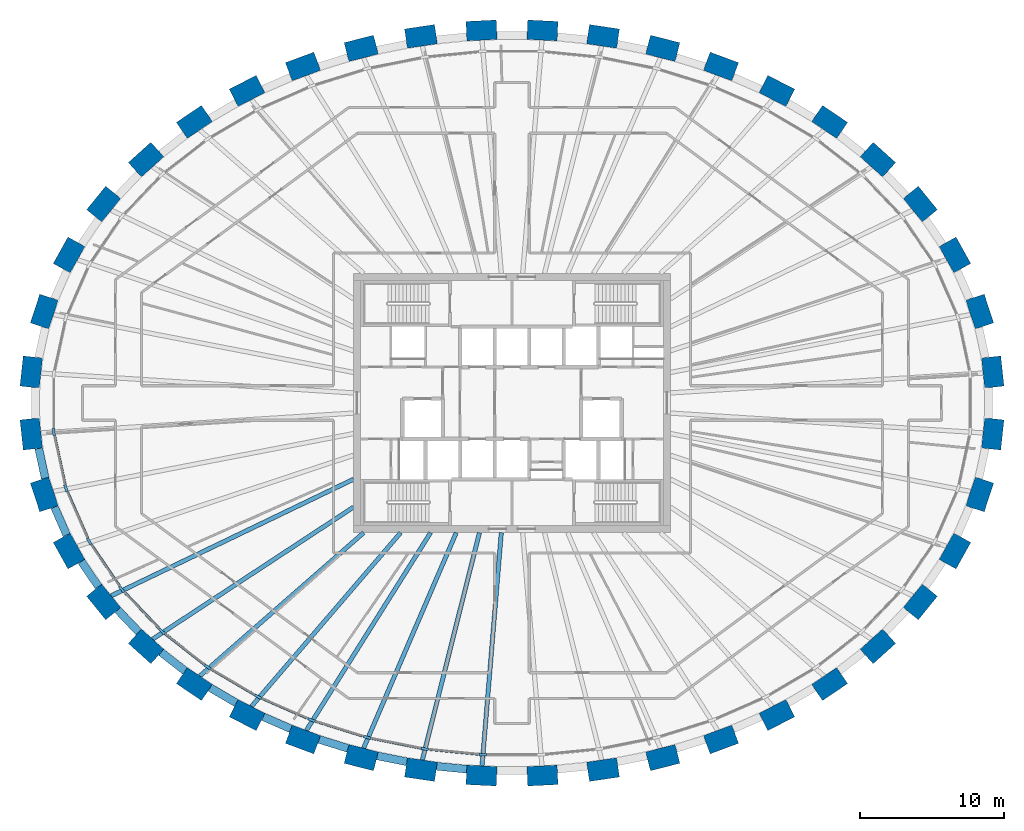
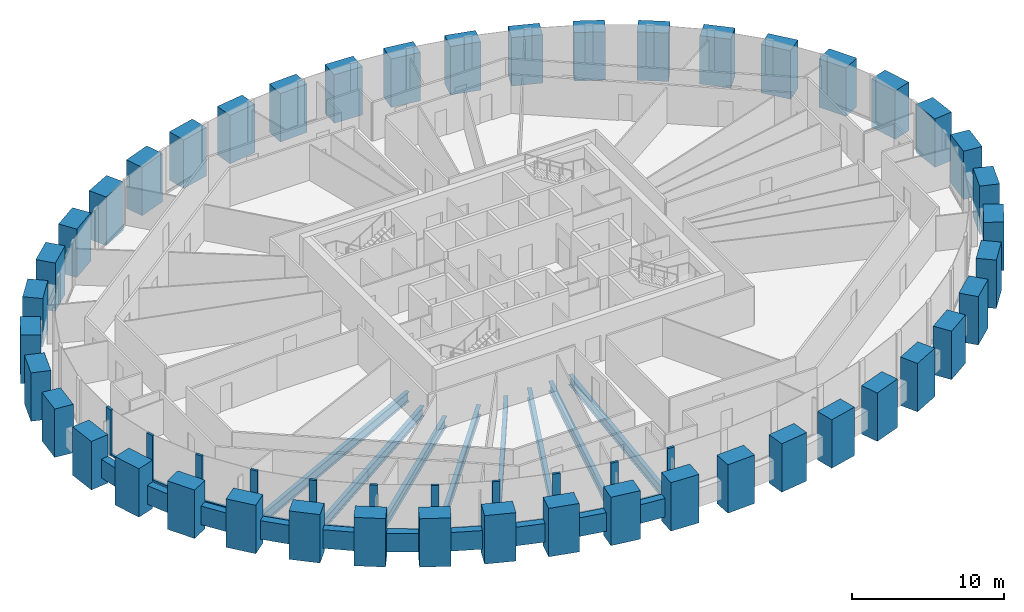
# One storey, part 1 of 12: 44 columns, 21 members, 18 beams, 1 element without a shape of its own.
"""IFC4 building model written with IfcOpenShell, lengths in metres."""

from ifc_helpers import new_model, si_unit, direction, frame, origin, origin_2d, place, context, subcontext, project, spatial, rectangle, i_section, extrude, source, transform, mapped, material, material_profile, profile_set, type_object, element, aggregate, save


model = new_model("IFC4")

# Units and contexts
model_context = context("Model", 3, precision=1e-05, world=origin(), true_north=direction((0.0, 1.0)))
body_context = subcontext(model_context, "Body", "Model", "MODEL_VIEW")
ifc_project = project(units=[si_unit("LENGTHUNIT", "METRE"), si_unit("AREAUNIT", "SQUARE_METRE"), si_unit("VOLUMEUNIT", "CUBIC_METRE"), si_unit("PLANEANGLEUNIT", "RADIAN"), si_unit("MASSUNIT", "GRAM", prefix="KILO")], contexts=[model_context])

# Site, building, storey
site_placement = place(None, origin())
site = spatial("IfcSite", under=ifc_project, at=site_placement, CompositionType="ELEMENT")
building_placement = place(site_placement, origin())
building = spatial("IfcBuilding", under=site, at=building_placement, Name="Embergate Tower", CompositionType="ELEMENT")
storey_placement = place(building_placement, frame((0.0, 0.0, 253.89990234375)))
storey = spatial("IfcBuildingStorey", under=building, at=storey_placement, Name="L58", CompositionType="ELEMENT", Elevation=253.89990234375)

# Columns
ifc_material_1 = material(Name="Concrete C60", Category="concrete")
ifc_material_profile_1 = material_profile(ifc_material_1, rectangle(XDim=1.35009765625, YDim=2.10009765625, at=origin_2d()), Name="RC 1350x2100")
ifc_profile_set_1 = profile_set([ifc_material_profile_1], Name="Concrete C60")
column_type = type_object("IfcColumnType", Name="Ring column RC 1350x2100 C60", PredefinedType="COLUMN", material=ifc_profile_set_1)
shared_shape_1 = source(origin(), body_context, "Body", "SweptSolid", [
    extrude(rectangle(XDim=1.35009765625, YDim=2.10009765625, at=origin_2d()), origin(), (0.0, 0.0, 1.0), 3.89990234375),
])
for number, where, z_axis, x_axis, name in (
    (1, (33.364013671875, 2.14892578125, -1.39990234375), (0.0, 0.0, 1.0), (0.99428589498, 0.106749983816, 0.0), "COL-L58-00"),
    (2, (32.4609375, 6.346923828125, -1.39990234375), (0.0, 0.0, 1.0), (0.950754033697, 0.309946394413, 0.0), "COL-L58-01"),
    (3, (30.739990234375, 10.27197265625, -1.39990234375), (0.0, 0.0, 1.0), (0.873500465855, 0.486823311018, 0.0), "COL-L58-02"),
    (4, (28.3369140625, 13.805908203125, -1.39990234375), (0.0, 0.0, 1.0), (0.775925311702, 0.630824786022, 0.0), "COL-L58-03"),
    (5, (25.39501953125, 16.889892578125, -1.39990234375), (0.0, 0.0, 1.0), (0.669208424634, 0.74307475021, 0.0), "COL-L58-04"),
    (6, (22.0439453125, 19.506103515625, -1.39990234375), (0.0, 0.0, 1.0), (0.560393279442, 0.828226643109, 0.0), "COL-L58-05"),
    (7, (18.385986328125, 21.656982421875, -1.39990234375), (0.0, 0.0, 1.0), (0.453010512651, 0.891505174089, 0.0), "COL-L58-06"),
    (8, (14.5048828125, 23.35400390625, -1.39990234375), (0.0, 0.0, 1.0), (0.348343015724, 0.93736713373, 0.0), "COL-L58-07"),
    (9, (10.465087890625, 24.612060546875, -1.39990234375), (0.0, 0.0, 1.0), (0.24650851817, 0.969140624713, 0.0), "COL-L58-08"),
    (10, (6.319091796875, 25.444091796875, -1.39990234375), (0.0, 0.0, 1.0), (0.146929011949, 0.989147039346, 0.0), "COL-L58-09"),
    (11, (2.113037109375, 25.85693359375, -1.39990234375), (0.0, 0.0, 1.0), (0.048814904854, 0.998807841912, 0.0), "COL-L58-10"),
    (12, (-2.113037109375, 25.85693359375, -1.39990234375), (0.0, 0.0, 1.0), (-0.048814904854, 0.998807841912, 0.0), "COL-L58-11"),
    (13, (-6.319091796875, 25.444091796875, -1.39990234375), (0.0, 0.0, 1.0), (-0.146929011949, 0.989147039346, 0.0), "COL-L58-12"),
    (14, (-10.465087890625, 24.612060546875, -1.39990234375), (0.0, 0.0, 1.0), (-0.24650851817, 0.969140624713, 0.0), "COL-L58-13"),
    (15, (-14.5048828125, 23.35400390625, -1.39990234375), (0.0, 0.0, 1.0), (-0.348343015724, 0.93736713373, 0.0), "COL-L58-14"),
    (16, (-18.385986328125, 21.656982421875, -1.39990234375), (0.0, 0.0, 1.0), (-0.453010512651, 0.891505174089, 0.0), "COL-L58-15"),
    (17, (-22.0439453125, 19.506103515625, -1.39990234375), (0.0, 0.0, 1.0), (-0.560393279442, 0.828226643109, 0.0), "COL-L58-16"),
    (18, (-25.39501953125, 16.889892578125, -1.39990234375), (0.0, 0.0, 1.0), (-0.669208424634, 0.74307475021, 0.0), "COL-L58-17"),
    (19, (-28.3369140625, 13.805908203125, -1.39990234375), (0.0, 0.0, 1.0), (-0.775925311702, 0.630824786022, 0.0), "COL-L58-18"),
    (20, (-30.739990234375, 10.27197265625, -1.39990234375), (0.0, 0.0, 1.0), (-0.873500465855, 0.486823311018, 0.0), "COL-L58-19"),
    (21, (-32.4609375, 6.346923828125, -1.39990234375), (0.0, 0.0, 1.0), (-0.950754033697, 0.309946394413, 0.0), "COL-L58-20"),
    (22, (-33.364013671875, 2.14892578125, -1.39990234375), (0.0, 0.0, 1.0), (-0.99428589498, 0.106749983816, 0.0), "COL-L58-21"),
    (23, (-33.364013671875, -2.14892578125, -1.39990234375), (0.0, 0.0, 1.0), (-0.99428589498, -0.106749983816, 0.0), "COL-L58-22"),
    (24, (-32.4609375, -6.346923828125, -1.39990234375), (0.0, 0.0, 1.0), (-0.950754033697, -0.309946394413, 0.0), "COL-L58-23"),
    (25, (-30.739990234375, -10.27197265625, -1.39990234375), (0.0, 0.0, 1.0), (-0.873500465855, -0.486823311018, 0.0), "COL-L58-24"),
    (26, (-28.3369140625, -13.805908203125, -1.39990234375), (0.0, 0.0, 1.0), (-0.775925311702, -0.630824786022, 0.0), "COL-L58-25"),
    (27, (-25.39501953125, -16.889892578125, -1.39990234375), (0.0, 0.0, 1.0), (-0.669208424634, -0.74307475021, 0.0), "COL-L58-26"),
    (28, (-22.0439453125, -19.506103515625, -1.39990234375), (0.0, 0.0, 1.0), (-0.560393279442, -0.828226643109, 0.0), "COL-L58-27"),
    (29, (-18.385986328125, -21.656982421875, -1.39990234375), (0.0, 0.0, 1.0), (-0.453010512651, -0.891505174089, 0.0), "COL-L58-28"),
    (30, (-14.5048828125, -23.35400390625, -1.39990234375), (0.0, 0.0, 1.0), (-0.348343015724, -0.93736713373, 0.0), "COL-L58-29"),
    (31, (-10.465087890625, -24.612060546875, -1.39990234375), (0.0, 0.0, 1.0), (-0.24650851817, -0.969140624713, 0.0), "COL-L58-30"),
    (32, (-6.319091796875, -25.444091796875, -1.39990234375), (0.0, 0.0, 1.0), (-0.146929011949, -0.989147039346, 0.0), "COL-L58-31"),
    (33, (-2.113037109375, -25.85693359375, -1.39990234375), (0.0, 0.0, 1.0), (-0.048814904854, -0.998807841912, 0.0), "COL-L58-32"),
    (34, (2.113037109375, -25.85693359375, -1.39990234375), (0.0, 0.0, 1.0), (0.048814904854, -0.998807841912, 0.0), "COL-L58-33"),
    (35, (6.319091796875, -25.444091796875, -1.39990234375), (0.0, 0.0, 1.0), (0.146929011949, -0.989147039346, 0.0), "COL-L58-34"),
    (36, (10.465087890625, -24.612060546875, -1.39990234375), (0.0, 0.0, 1.0), (0.24650851817, -0.969140624713, 0.0), "COL-L58-35"),
    (37, (14.5048828125, -23.35400390625, -1.39990234375), (0.0, 0.0, 1.0), (0.348343015724, -0.93736713373, 0.0), "COL-L58-36"),
    (38, (18.385986328125, -21.656982421875, -1.39990234375), (0.0, 0.0, 1.0), (0.453010512651, -0.891505174089, 0.0), "COL-L58-37"),
    (39, (22.0439453125, -19.506103515625, -1.39990234375), (0.0, 0.0, 1.0), (0.560393279442, -0.828226643109, 0.0), "COL-L58-38"),
    (40, (25.39501953125, -16.889892578125, -1.39990234375), (0.0, 0.0, 1.0), (0.669208424634, -0.74307475021, 0.0), "COL-L58-39"),
    (41, (28.3369140625, -13.805908203125, -1.39990234375), (0.0, 0.0, 1.0), (0.775925311702, -0.630824786022, 0.0), "COL-L58-40"),
    (42, (30.739990234375, -10.27197265625, -1.39990234375), (0.0, 0.0, 1.0), (0.873500465855, -0.486823311018, 0.0), "COL-L58-41"),
    (43, (32.4609375, -6.346923828125, -1.39990234375), (0.0, 0.0, 1.0), (0.950754033697, -0.309946394413, 0.0), "COL-L58-42"),
    (44, (33.364013671875, -2.14892578125, -1.39990234375), (0.0, 0.0, 1.0), (0.99428589498, -0.106749983816, 0.0), "COL-L58-43"),
):
    element("IfcColumn", number, at=place(storey_placement, frame(where, z_axis=z_axis, x_axis=x_axis)), inside=storey, type_object=column_type, Name=name, PredefinedType="COLUMN", context=body_context, shape_type="MappedRepresentation", body=[
        mapped(shared_shape_1, transform((0.0, 0.0, 0.0))),
    ])

# Beams
ifc_material_profile_2 = material_profile(ifc_material_1, rectangle(XDim=0.550048828125, YDim=1.5, at=origin_2d()), Name="RC 550x1500")
ifc_profile_set_2 = profile_set([ifc_material_profile_2], Name="Concrete C60")
beam_type_1 = type_object("IfcBeamType", Name="Spandrel beam RC 550x1500 C60", PredefinedType="BEAM", material=ifc_profile_set_2)
shared_shape_2 = source(origin(), body_context, "Body", "SweptSolid", [
    extrude(rectangle(XDim=0.550048828125, YDim=1.5, at=origin_2d()), origin(), (0.0, 0.0, 1.0), 2.121337890625),
])
beam_1_placement = place(storey_placement, frame((-32.845947265625, -3.14892578125, 0.0), z_axis=(0.210259959119, -0.977645513257, 0.0), x_axis=(0.977645513257, 0.210259959119, 0.0)))
element("IfcBeam", 45, at=beam_1_placement, inside=storey, type_object=beam_type_1, Name="SPN-L58-22", PredefinedType="BEAM", context=body_context, shape_type="MappedRepresentation", body=[
    mapped(shared_shape_2, transform((0.0, 0.0, 0.0))),
])
shared_shape_3 = source(origin(), body_context, "Body", "SweptSolid", [
    extrude(rectangle(XDim=0.550048828125, YDim=1.5, at=origin_2d()), origin(), (0.0, 0.0, 1.0), 2.118408203125),
])
beam_2_placement = place(storey_placement, frame((-31.75390625, -7.220947265625, 0.0), z_axis=(0.401653016285, -0.915791927519, 0.0), x_axis=(0.915791927519, 0.401653016285, 0.0)))
element("IfcBeam", 46, at=beam_2_placement, inside=storey, type_object=beam_type_1, Name="SPN-L58-23", PredefinedType="BEAM", context=body_context, shape_type="MappedRepresentation", body=[
    mapped(shared_shape_3, transform((0.0, 0.0, 0.0))),
])
shared_shape_4 = source(origin(), body_context, "Body", "SweptSolid", [
    extrude(rectangle(XDim=0.550048828125, YDim=1.5, at=origin_2d()), origin(), (0.0, 0.0, 1.0), 2.113525390625),
])
beam_3_placement = place(storey_placement, frame((-29.885986328125, -10.998046875, 0.0), z_axis=(0.562088832066, -0.827076867569, 0.0), x_axis=(0.827076867569, 0.562088832066, 0.0)))
element("IfcBeam", 47, at=beam_3_placement, inside=storey, type_object=beam_type_1, Name="SPN-L58-24", PredefinedType="BEAM", context=body_context, shape_type="MappedRepresentation", body=[
    mapped(shared_shape_4, transform((0.0, 0.0, 0.0))),
])
shared_shape_5 = source(origin(), body_context, "Body", "SweptSolid", [
    extrude(rectangle(XDim=0.550048828125, YDim=1.5, at=origin_2d()), origin(), (0.0, 0.0, 1.0), 2.1064453125),
])
beam_4_placement = place(storey_placement, frame((-27.362060546875, -14.366943359375, 0.0), z_axis=(0.690280012813, -0.723542330421, 0.0), x_axis=(0.723542330421, 0.690280012813, 0.0)))
element("IfcBeam", 48, at=beam_4_placement, inside=storey, type_object=beam_type_1, Name="SPN-L58-25", PredefinedType="BEAM", context=body_context, shape_type="MappedRepresentation", body=[
    mapped(shared_shape_5, transform((0.0, 0.0, 0.0))),
])
shared_shape_6 = source(origin(), body_context, "Body", "SweptSolid", [
    extrude(rectangle(XDim=0.550048828125, YDim=1.5, at=origin_2d()), origin(), (0.0, 0.0, 1.0), 2.101806640625),
])
beam_5_placement = place(storey_placement, frame((-24.35205078125, -17.301025390625, 0.0), z_axis=(0.78838173926, -0.615186340227, 0.0), x_axis=(0.615186340227, 0.78838173926, 0.0)))
element("IfcBeam", 49, at=beam_5_placement, inside=storey, type_object=beam_type_1, Name="SPN-L58-26", PredefinedType="BEAM", context=body_context, shape_type="MappedRepresentation", body=[
    mapped(shared_shape_6, transform((0.0, 0.0, 0.0))),
])
shared_shape_7 = source(origin(), body_context, "Body", "SweptSolid", [
    extrude(rectangle(XDim=0.550048828125, YDim=1.5, at=origin_2d()), origin(), (0.0, 0.0, 1.0), 2.097412109375),
])
beam_6_placement = place(storey_placement, frame((-20.947021484375, -19.758056640625, 0.0), z_axis=(0.862059864985, -0.506806461267, 0.0), x_axis=(0.506806461267, 0.862059864985, 0.0)))
element("IfcBeam", 50, at=beam_6_placement, inside=storey, type_object=beam_type_1, Name="SPN-L58-27", PredefinedType="BEAM", context=body_context, shape_type="MappedRepresentation", body=[
    mapped(shared_shape_7, transform((0.0, 0.0, 0.0))),
])
shared_shape_8 = source(origin(), body_context, "Body", "SweptSolid", [
    extrude(rectangle(XDim=0.550048828125, YDim=1.5, at=origin_2d()), origin(), (0.0, 0.0, 1.0), 2.093994140625),
])
beam_7_placement = place(storey_placement, frame((-17.26904296875, -21.77587890625, 0.0), z_axis=(0.916403340616, -0.400256064674, 0.0), x_axis=(0.400256064674, 0.916403340616, 0.0)))
element("IfcBeam", 51, at=beam_7_placement, inside=storey, type_object=beam_type_1, Name="SPN-L58-28", PredefinedType="BEAM", context=body_context, shape_type="MappedRepresentation", body=[
    mapped(shared_shape_8, transform((0.0, 0.0, 0.0))),
])
shared_shape_9 = source(origin(), body_context, "Body", "SweptSolid", [
    extrude(rectangle(XDim=0.550048828125, YDim=1.5, at=origin_2d()), origin(), (0.0, 0.0, 1.0), 2.092529296875),
])
beam_8_placement = place(storey_placement, frame((-13.383056640625, -23.347900390625, 0.0), z_axis=(0.954794982035, -0.297265104378, 0.0), x_axis=(0.297265104378, 0.954794982035, 0.0)))
element("IfcBeam", 52, at=beam_8_placement, inside=storey, type_object=beam_type_1, Name="SPN-L58-29", PredefinedType="BEAM", context=body_context, shape_type="MappedRepresentation", body=[
    mapped(shared_shape_9, transform((0.0, 0.0, 0.0))),
])
shared_shape_10 = source(origin(), body_context, "Body", "SweptSolid", [
    extrude(rectangle(XDim=0.550048828125, YDim=1.5, at=origin_2d()), origin(), (0.0, 0.0, 1.0), 2.0908203125),
])
beam_9_placement = place(storey_placement, frame((-9.35009765625, -24.489990234375, 0.0), z_axis=(0.980499753095, -0.196520314929, 0.0), x_axis=(0.196520314929, 0.980499753095, 0.0)))
element("IfcBeam", 53, at=beam_9_placement, inside=storey, type_object=beam_type_1, Name="SPN-L58-30", PredefinedType="BEAM", context=body_context, shape_type="MappedRepresentation", body=[
    mapped(shared_shape_10, transform((0.0, 0.0, 0.0))),
])
shared_shape_11 = source(origin(), body_context, "Body", "SweptSolid", [
    extrude(rectangle(XDim=0.550048828125, YDim=1.5, at=origin_2d()), origin(), (0.0, 0.0, 1.0), 2.08984375),
])
beam_10_placement = place(storey_placement, frame((-5.222900390625, -25.2109375, 0.0), z_axis=(0.995219400888, -0.097664446431, 0.0), x_axis=(0.097664446431, 0.995219400888, 0.0)))
element("IfcBeam", 54, at=beam_10_placement, inside=storey, type_object=beam_type_1, Name="SPN-L58-31", PredefinedType="BEAM", context=body_context, shape_type="MappedRepresentation", body=[
    mapped(shared_shape_11, transform((0.0, 0.0, 0.0))),
])
ifc_material_2 = material(Name="Steel Q355B", Category="steel")
ifc_material_profile_3 = material_profile(ifc_material_2, i_section(OverallWidth=0.300048828125, OverallDepth=0.800048828125, WebThickness=0.013916015625, FlangeThickness=0.02587890625, FilletRadius=0.028076171875, at=origin_2d()), Name="HN 800x300x14x26")
ifc_profile_set_3 = profile_set([ifc_material_profile_3], Name="Steel Q355 grade B")
beam_type_2 = type_object("IfcBeamType", Name="Radial girder HN 800x300x14x26", PredefinedType="BEAM", material=ifc_profile_set_3)
shared_shape_12 = source(origin(), body_context, "Body", "SweptSolid", [
    extrude(i_section(OverallWidth=0.300048828125, OverallDepth=0.800048828125, WebThickness=0.013916015625, FlangeThickness=0.02587890625, FilletRadius=0.028076171875, at=origin_2d()), origin(), (0.0, 0.0, 1.0), 18.6572265625),
])
beam_11_placement = place(storey_placement, frame((-27.81298828125, -13.3798828125, -0.599853515625), z_axis=(0.901153541631, 0.433500051218, 0.0), x_axis=(-0.433500051218, 0.901153541631, 0.0)))
element("IfcBeam", 55, at=beam_11_placement, inside=storey, type_object=beam_type_2, Name="GIR-L58-25", PredefinedType="BEAM", context=body_context, shape_type="MappedRepresentation", body=[
    mapped(shared_shape_12, transform((0.0, 0.0, 0.0))),
])
shared_shape_13 = source(origin(), body_context, "Body", "SweptSolid", [
    extrude(i_section(OverallWidth=0.300048828125, OverallDepth=0.800048828125, WebThickness=0.013916015625, FlangeThickness=0.02587890625, FilletRadius=0.028076171875, at=origin_2d()), origin(), (0.0, 0.0, 1.0), 16.683349609375),
])
beam_12_placement = place(storey_placement, frame((-24.943115234375, -16.387939453125, -0.599853515625), z_axis=(0.835753065735, 0.549105466295, 0.0), x_axis=(-0.549105466295, 0.835753065735, 0.0)))
element("IfcBeam", 56, at=beam_12_placement, inside=storey, type_object=beam_type_2, Name="GIR-L58-26", PredefinedType="BEAM", context=body_context, shape_type="MappedRepresentation", body=[
    mapped(shared_shape_13, transform((0.0, 0.0, 0.0))),
])
shared_shape_14 = source(origin(), body_context, "Body", "SweptSolid", [
    extrude(i_section(OverallWidth=0.300048828125, OverallDepth=0.800048828125, WebThickness=0.013916015625, FlangeThickness=0.02587890625, FilletRadius=0.028076171875, at=origin_2d()), origin(), (0.0, 0.0, 1.0), 15.11083984375),
])
beam_13_placement = place(storey_placement, frame((-21.666015625, -18.947021484375, -0.599853515625), z_axis=(0.752776832469, 0.658275808836, 0.0), x_axis=(-0.658275808836, 0.752776832469, 0.0)))
element("IfcBeam", 57, at=beam_13_placement, inside=storey, type_object=beam_type_2, Name="GIR-L58-27", PredefinedType="BEAM", context=body_context, shape_type="MappedRepresentation", body=[
    mapped(shared_shape_14, transform((0.0, 0.0, 0.0))),
])
shared_shape_15 = source(origin(), body_context, "Body", "SweptSolid", [
    extrude(i_section(OverallWidth=0.300048828125, OverallDepth=0.800048828125, WebThickness=0.013916015625, FlangeThickness=0.02587890625, FilletRadius=0.028076171875, at=origin_2d()), origin(), (0.0, 0.0, 1.0), 15.889892578125),
])
beam_14_placement = place(storey_placement, frame((-18.080078125, -21.054931640625, -0.599853515625), z_axis=(0.651489554498, 0.75865760418, 0.0), x_axis=(-0.75865760418, 0.651489554498, 0.0)))
element("IfcBeam", 58, at=beam_14_placement, inside=storey, type_object=beam_type_2, Name="GIR-L58-28", PredefinedType="BEAM", context=body_context, shape_type="MappedRepresentation", body=[
    mapped(shared_shape_15, transform((0.0, 0.0, 0.0))),
])
shared_shape_16 = source(origin(), body_context, "Body", "SweptSolid", [
    extrude(i_section(OverallWidth=0.300048828125, OverallDepth=0.800048828125, WebThickness=0.013916015625, FlangeThickness=0.02587890625, FilletRadius=0.028076171875, at=origin_2d()), origin(), (0.0, 0.0, 1.0), 16.202880859375),
])
beam_15_placement = place(storey_placement, frame((-14.27001953125, -22.720947265625, -0.599853515625), z_axis=(0.531876197459, 0.84682212452, 0.0), x_axis=(-0.84682212452, 0.531876197459, 0.0)))
element("IfcBeam", 59, at=beam_15_placement, inside=storey, type_object=beam_type_2, Name="GIR-L58-29", PredefinedType="BEAM", context=body_context, shape_type="MappedRepresentation", body=[
    mapped(shared_shape_16, transform((0.0, 0.0, 0.0))),
])
shared_shape_17 = source(origin(), body_context, "Body", "SweptSolid", [
    extrude(i_section(OverallWidth=0.300048828125, OverallDepth=0.800048828125, WebThickness=0.013916015625, FlangeThickness=0.02587890625, FilletRadius=0.028076171875, at=origin_2d()), origin(), (0.0, 0.0, 1.0), 16.281494140625),
])
beam_16_placement = place(storey_placement, frame((-10.299072265625, -23.9580078125, -0.599853515625), z_axis=(0.394936126448, 0.918708580577, 0.0), x_axis=(-0.918708580577, 0.394936126448, 0.0)))
element("IfcBeam", 60, at=beam_16_placement, inside=storey, type_object=beam_type_2, Name="GIR-L58-30", PredefinedType="BEAM", context=body_context, shape_type="MappedRepresentation", body=[
    mapped(shared_shape_17, transform((0.0, 0.0, 0.0))),
])
shared_shape_18 = source(origin(), body_context, "Body", "SweptSolid", [
    extrude(i_section(OverallWidth=0.300048828125, OverallDepth=0.800048828125, WebThickness=0.013916015625, FlangeThickness=0.02587890625, FilletRadius=0.028076171875, at=origin_2d()), origin(), (0.0, 0.0, 1.0), 16.265625),
])
beam_17_placement = place(storey_placement, frame((-6.219970703125, -24.77587890625, -0.599853515625), z_axis=(0.243517311552, 0.969896550656, 0.0), x_axis=(-0.969896550656, 0.243517311552, 0.0)))
element("IfcBeam", 61, at=beam_17_placement, inside=storey, type_object=beam_type_2, Name="GIR-L58-31", PredefinedType="BEAM", context=body_context, shape_type="MappedRepresentation", body=[
    mapped(shared_shape_18, transform((0.0, 0.0, 0.0))),
])
shared_shape_19 = source(origin(), body_context, "Body", "SweptSolid", [
    extrude(i_section(OverallWidth=0.300048828125, OverallDepth=0.800048828125, WebThickness=0.013916015625, FlangeThickness=0.02587890625, FilletRadius=0.028076171875, at=origin_2d()), origin(), (0.0, 0.0, 1.0), 16.23828125),
])
beam_18_placement = place(storey_placement, frame((-2.080078125, -25.18310546875, -0.599853515625), z_axis=(0.082346180741, 0.996603786124, 0.0), x_axis=(-0.996603786124, 0.082346180741, 0.0)))
element("IfcBeam", 62, at=beam_18_placement, inside=storey, type_object=beam_type_2, Name="GIR-L58-32", PredefinedType="BEAM", context=body_context, shape_type="MappedRepresentation", body=[
    mapped(shared_shape_19, transform((0.0, 0.0, 0.0))),
])

# Curtain wall, members
ifc_material_3 = material(Name="Aluminium and glass", Category="aluminium")
curtain_wall_type = type_object("IfcCurtainWallType", Name="Recessed office glazing", PredefinedType="NOTDEFINED", material=ifc_material_3)
curtain_wall_placement = place(storey_placement, origin())
curtain_wall = element("IfcCurtainWall", 63, at=curtain_wall_placement, inside=storey, type_object=curtain_wall_type, Name="Recessed office glazing ring", ObjectType="RECESSED OFFICE GLAZING", PredefinedType="USERDEFINED")
ifc_material_4 = material(Name="Aluminium, thermally broken", Category="aluminium")
ifc_material_profile_4 = material_profile(ifc_material_4, rectangle(XDim=0.179931640625, YDim=0.52001953125, at=origin_2d()), Name="AL 520x180")
ifc_profile_set_4 = profile_set([ifc_material_profile_4], Name="Aluminium, thermally broken")
member_type_1 = type_object("IfcMemberType", Name="Office mullion", PredefinedType="MULLION", material=ifc_profile_set_4)
shared_shape_20 = source(origin(), body_context, "Body", "SweptSolid", [
    extrude(rectangle(XDim=0.179931640625, YDim=0.52001953125, at=origin_2d()), origin(), (0.0, 0.0, 1.0), 3.7001953125),
])
member_1_placement = place(storey_placement, frame((-31.802490234375, -2.003173828125, 0.0), z_axis=(0.0, 0.0, 1.0), x_axis=(0.994384400633, 0.105828463931, 0.0)))
member_1 = element("IfcMember", 64, at=member_1_placement, type_object=member_type_1, Name="CW mullion 23", PredefinedType="MULLION", context=body_context, shape_type="MappedRepresentation", body=[
    mapped(shared_shape_20, transform((0.0, 0.0, 0.0))),
])
member_2_placement = place(storey_placement, frame((-30.958984375, -5.922607421875, 0.0), z_axis=(0.0, 0.0, 1.0), x_axis=(0.9514940392, 0.307667179542, 0.0)))
member_2 = element("IfcMember", 65, at=member_2_placement, type_object=member_type_1, Name="CW mullion 24", PredefinedType="MULLION", context=body_context, shape_type="MappedRepresentation", body=[
    mapped(shared_shape_20, transform((0.0, 0.0, 0.0))),
])
member_3_placement = place(storey_placement, frame((-29.34619140625, -9.600341796875, 0.0), z_axis=(0.0, 0.0, 1.0), x_axis=(0.874994291193, 0.484133236186, 0.0)))
member_3 = element("IfcMember", 66, at=member_3_placement, type_object=member_type_1, Name="CW mullion 25", PredefinedType="MULLION", context=body_context, shape_type="MappedRepresentation", body=[
    mapped(shared_shape_20, transform((0.0, 0.0, 0.0))),
])
member_4_placement = place(storey_placement, frame((-27.0830078125, -12.92822265625, 0.0), z_axis=(0.0, 0.0, 1.0), x_axis=(0.777863789852, 0.628432911643, 0.0)))
member_4 = element("IfcMember", 67, at=member_4_placement, type_object=member_type_1, Name="CW mullion 26", PredefinedType="MULLION", context=body_context, shape_type="MappedRepresentation", body=[
    mapped(shared_shape_20, transform((0.0, 0.0, 0.0))),
])
member_5_placement = place(storey_placement, frame((-24.299560546875, -15.846923828125, 0.0), z_axis=(0.0, 0.0, 1.0), x_axis=(0.671217477801, 0.741260478843, 0.0)))
member_5 = element("IfcMember", 68, at=member_5_placement, type_object=member_type_1, Name="CW mullion 27", PredefinedType="MULLION", context=body_context, shape_type="MappedRepresentation", body=[
    mapped(shared_shape_20, transform((0.0, 0.0, 0.0))),
])
member_6_placement = place(storey_placement, frame((-21.1142578125, -18.3330078125, 0.0), z_axis=(0.0, 0.0, 1.0), x_axis=(0.562208958301, 0.826995215951, 0.0)))
member_6 = element("IfcMember", 69, at=member_6_placement, type_object=member_type_1, Name="CW mullion 28", PredefinedType="MULLION", context=body_context, shape_type="MappedRepresentation", body=[
    mapped(shared_shape_20, transform((0.0, 0.0, 0.0))),
])
member_7_placement = place(storey_placement, frame((-17.626220703125, -20.383544921875, 0.0), z_axis=(0.0, 0.0, 1.0), x_axis=(0.45450516197, 0.8907441034, 0.0)))
member_7 = element("IfcMember", 70, at=member_7_placement, type_object=member_type_1, Name="CW mullion 29", PredefinedType="MULLION", context=body_context, shape_type="MappedRepresentation", body=[
    mapped(shared_shape_20, transform((0.0, 0.0, 0.0))),
])
member_8_placement = place(storey_placement, frame((-13.914794921875, -22.006591796875, 0.0), z_axis=(0.0, 0.0, 1.0), x_axis=(0.349497777064, 0.936937193107, 0.0)))
member_8 = element("IfcMember", 71, at=member_8_placement, type_object=member_type_1, Name="CW mullion 30", PredefinedType="MULLION", context=body_context, shape_type="MappedRepresentation", body=[
    mapped(shared_shape_20, transform((0.0, 0.0, 0.0))),
])
member_9_placement = place(storey_placement, frame((-10.0439453125, -23.2119140625, 0.0), z_axis=(0.0, 0.0, 1.0), x_axis=(0.247308499144, 0.96893679167, 0.0)))
member_9 = element("IfcMember", 72, at=member_9_placement, type_object=member_type_1, Name="CW mullion 31", PredefinedType="MULLION", context=body_context, shape_type="MappedRepresentation", body=[
    mapped(shared_shape_20, transform((0.0, 0.0, 0.0))),
])
member_10_placement = place(storey_placement, frame((-6.06689453125, -24.009521484375, 0.0), z_axis=(0.0, 0.0, 1.0), x_axis=(0.147410656556, 0.989075375456, 0.0)))
member_10 = element("IfcMember", 73, at=member_10_placement, type_object=member_type_1, Name="CW mullion 32", PredefinedType="MULLION", context=body_context, shape_type="MappedRepresentation", body=[
    mapped(shared_shape_20, transform((0.0, 0.0, 0.0))),
])
member_11_placement = place(storey_placement, frame((-2.02880859375, -24.406494140625, 0.0), z_axis=(0.0, 0.0, 1.0), x_axis=(0.048970053385, 0.998800247232, 0.0)))
member_11 = element("IfcMember", 74, at=member_11_placement, type_object=member_type_1, Name="CW mullion 33", PredefinedType="MULLION", context=body_context, shape_type="MappedRepresentation", body=[
    mapped(shared_shape_20, transform((0.0, 0.0, 0.0))),
])
ifc_material_profile_5 = material_profile(ifc_material_4, rectangle(XDim=0.179931640625, YDim=0.14990234375, at=origin_2d()), Name="AL 150x180")
ifc_profile_set_5 = profile_set([ifc_material_profile_5], Name="Aluminium, thermally broken")
member_type_2 = type_object("IfcMemberType", Name="Office sill transom", PredefinedType="USERDEFINED", material=ifc_profile_set_5)
shared_shape_21 = source(origin(), body_context, "Body", "SweptSolid", [
    extrude(rectangle(XDim=0.179931640625, YDim=0.14990234375, at=origin_2d()), origin(), (0.0, 0.0, 1.0), 3.4892578125),
])
member_12_placement = place(storey_placement, frame((-31.747802734375, -2.25732421875, 0.0751953125), z_axis=(0.21033180344, -0.977630059103, 0.0), x_axis=(0.977630059103, 0.21033180344, 0.0)))
member_12 = element("IfcMember", 75, at=member_12_placement, type_object=member_type_2, Name="CW transom 23.1", ObjectType="TRANSOM", PredefinedType="USERDEFINED", context=body_context, shape_type="MappedRepresentation", body=[
    mapped(shared_shape_21, transform((0.0, 0.0, 0.0))),
])
shared_shape_22 = source(origin(), body_context, "Body", "SweptSolid", [
    extrude(rectangle(XDim=0.179931640625, YDim=0.14990234375, at=origin_2d()), origin(), (0.0, 0.0, 1.0), 3.49609375),
])
member_13_placement = place(storey_placement, frame((-30.854736328125, -6.16064453125, 0.0751953125), z_axis=(0.401675879714, -0.915781899612, 0.0), x_axis=(0.915781899612, 0.401675879714, 0.0)))
member_13 = element("IfcMember", 76, at=member_13_placement, type_object=member_type_2, Name="CW transom 24.1", ObjectType="TRANSOM", PredefinedType="USERDEFINED", context=body_context, shape_type="MappedRepresentation", body=[
    mapped(shared_shape_22, transform((0.0, 0.0, 0.0))),
])
shared_shape_23 = source(origin(), body_context, "Body", "SweptSolid", [
    extrude(rectangle(XDim=0.179931640625, YDim=0.14990234375, at=origin_2d()), origin(), (0.0, 0.0, 1.0), 3.504638671875),
])
member_14_placement = place(storey_placement, frame((-29.199951171875, -9.8154296875, 0.0751953125), z_axis=(0.562376708583, -0.826881150858, 0.0), x_axis=(0.826881150858, 0.562376708583, 0.0)))
member_14 = element("IfcMember", 77, at=member_14_placement, type_object=member_type_2, Name="CW transom 25.1", ObjectType="TRANSOM", PredefinedType="USERDEFINED", context=body_context, shape_type="MappedRepresentation", body=[
    mapped(shared_shape_23, transform((0.0, 0.0, 0.0))),
])
shared_shape_24 = source(origin(), body_context, "Body", "SweptSolid", [
    extrude(rectangle(XDim=0.179931640625, YDim=0.14990234375, at=origin_2d()), origin(), (0.0, 0.0, 1.0), 3.512939453125),
])
member_15_placement = place(storey_placement, frame((-26.903564453125, -13.116455078125, 0.0751953125), z_axis=(0.690159983448, -0.723656822842, 0.0), x_axis=(0.723656822842, 0.690159983448, 0.0)))
member_15 = element("IfcMember", 78, at=member_15_placement, type_object=member_type_2, Name="CW transom 26.1", ObjectType="TRANSOM", PredefinedType="USERDEFINED", context=body_context, shape_type="MappedRepresentation", body=[
    mapped(shared_shape_24, transform((0.0, 0.0, 0.0))),
])
shared_shape_25 = source(origin(), body_context, "Body", "SweptSolid", [
    extrude(rectangle(XDim=0.179931640625, YDim=0.14990234375, at=origin_2d()), origin(), (0.0, 0.0, 1.0), 3.520263671875),
])
member_16_placement = place(storey_placement, frame((-24.094482421875, -16.0068359375, 0.0751953125), z_axis=(0.788309220122, -0.615279264619, 0.0), x_axis=(0.615279264619, 0.788309220122, 0.0)))
member_16 = element("IfcMember", 79, at=member_16_placement, type_object=member_type_2, Name="CW transom 27.1", ObjectType="TRANSOM", PredefinedType="USERDEFINED", context=body_context, shape_type="MappedRepresentation", body=[
    mapped(shared_shape_25, transform((0.0, 0.0, 0.0))),
])
shared_shape_26 = source(origin(), body_context, "Body", "SweptSolid", [
    extrude(rectangle(XDim=0.179931640625, YDim=0.14990234375, at=origin_2d()), origin(), (0.0, 0.0, 1.0), 3.526123046875),
])
member_17_placement = place(storey_placement, frame((-20.89013671875, -18.464599609375, 0.0751953125), z_axis=(0.862058778532, -0.506808309281, 0.0), x_axis=(0.506808309281, 0.862058778532, 0.0)))
member_17 = element("IfcMember", 80, at=member_17_placement, type_object=member_type_2, Name="CW transom 28.1", ObjectType="TRANSOM", PredefinedType="USERDEFINED", context=body_context, shape_type="MappedRepresentation", body=[
    mapped(shared_shape_26, transform((0.0, 0.0, 0.0))),
])
shared_shape_27 = source(origin(), body_context, "Body", "SweptSolid", [
    extrude(rectangle(XDim=0.179931640625, YDim=0.14990234375, at=origin_2d()), origin(), (0.0, 0.0, 1.0), 3.53076171875),
])
member_18_placement = place(storey_placement, frame((-17.387939453125, -20.48779296875, 0.0751953125), z_axis=(0.916241422351, -0.400626579209, 0.0), x_axis=(0.400626579209, 0.916241422351, 0.0)))
member_18 = element("IfcMember", 81, at=member_18_placement, type_object=member_type_2, Name="CW transom 29.1", ObjectType="TRANSOM", PredefinedType="USERDEFINED", context=body_context, shape_type="MappedRepresentation", body=[
    mapped(shared_shape_27, transform((0.0, 0.0, 0.0))),
])
shared_shape_28 = source(origin(), body_context, "Body", "SweptSolid", [
    extrude(rectangle(XDim=0.179931640625, YDim=0.14990234375, at=origin_2d()), origin(), (0.0, 0.0, 1.0), 3.5341796875),
])
member_19_placement = place(storey_placement, frame((-13.66650390625, -22.083740234375, 0.0751953125), z_axis=(0.954775746564, -0.297326880342, 0.0), x_axis=(0.297326880342, 0.954775746564, 0.0)))
member_19 = element("IfcMember", 82, at=member_19_placement, type_object=member_type_2, Name="CW transom 30.1", ObjectType="TRANSOM", PredefinedType="USERDEFINED", context=body_context, shape_type="MappedRepresentation", body=[
    mapped(shared_shape_28, transform((0.0, 0.0, 0.0))),
])
shared_shape_29 = source(origin(), body_context, "Body", "SweptSolid", [
    extrude(rectangle(XDim=0.179931640625, YDim=0.14990234375, at=origin_2d()), origin(), (0.0, 0.0, 1.0), 3.5361328125),
])
member_20_placement = place(storey_placement, frame((-9.7890625, -23.262939453125, 0.0751953125), z_axis=(0.980463661571, -0.196700300811, 0.0), x_axis=(0.196700300811, 0.980463661571, 0.0)))
member_20 = element("IfcMember", 83, at=member_20_placement, type_object=member_type_2, Name="CW transom 31.1", ObjectType="TRANSOM", PredefinedType="USERDEFINED", context=body_context, shape_type="MappedRepresentation", body=[
    mapped(shared_shape_29, transform((0.0, 0.0, 0.0))),
])
shared_shape_30 = source(origin(), body_context, "Body", "SweptSolid", [
    extrude(rectangle(XDim=0.179931640625, YDim=0.14990234375, at=origin_2d()), origin(), (0.0, 0.0, 1.0), 3.53759765625),
])
member_21_placement = place(storey_placement, frame((-5.80810546875, -24.034912109375, 0.0751953125), z_axis=(0.99519983538, -0.097863617654, 0.0), x_axis=(0.097863617654, 0.99519983538, 0.0)))
member_21 = element("IfcMember", 84, at=member_21_placement, type_object=member_type_2, Name="CW transom 32.1", ObjectType="TRANSOM", PredefinedType="USERDEFINED", context=body_context, shape_type="MappedRepresentation", body=[
    mapped(shared_shape_30, transform((0.0, 0.0, 0.0))),
])
aggregate(curtain_wall, [member_1, member_2, member_3, member_4, member_5, member_6, member_7, member_8, member_9, member_10, member_11, member_12, member_13, member_14, member_15, member_16, member_17, member_18, member_19, member_20, member_21])

save(model, "model.ifc")
